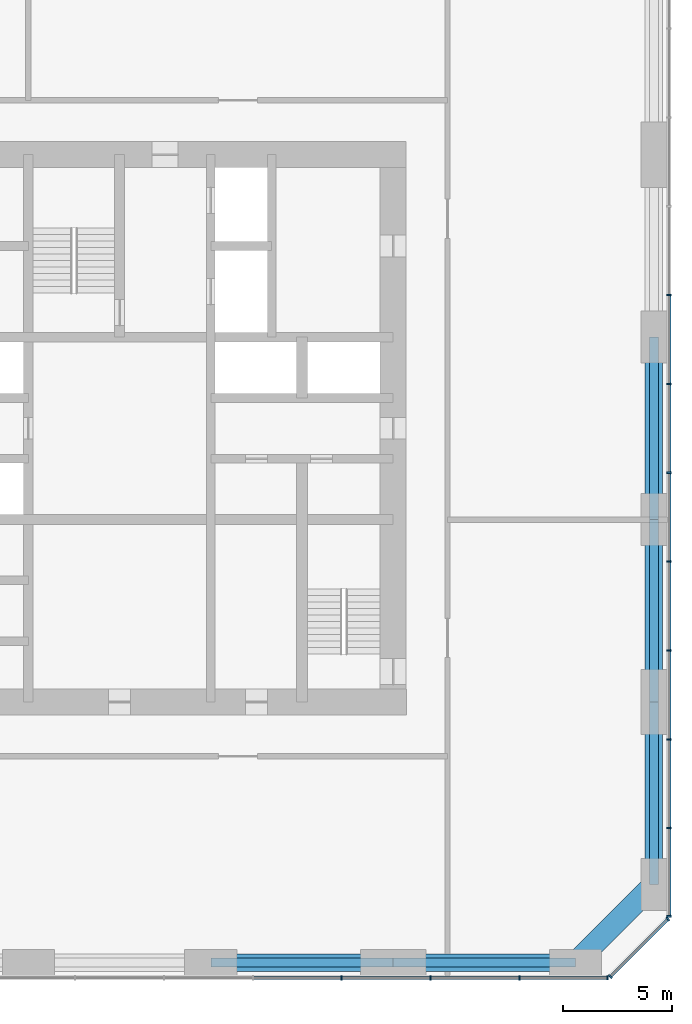
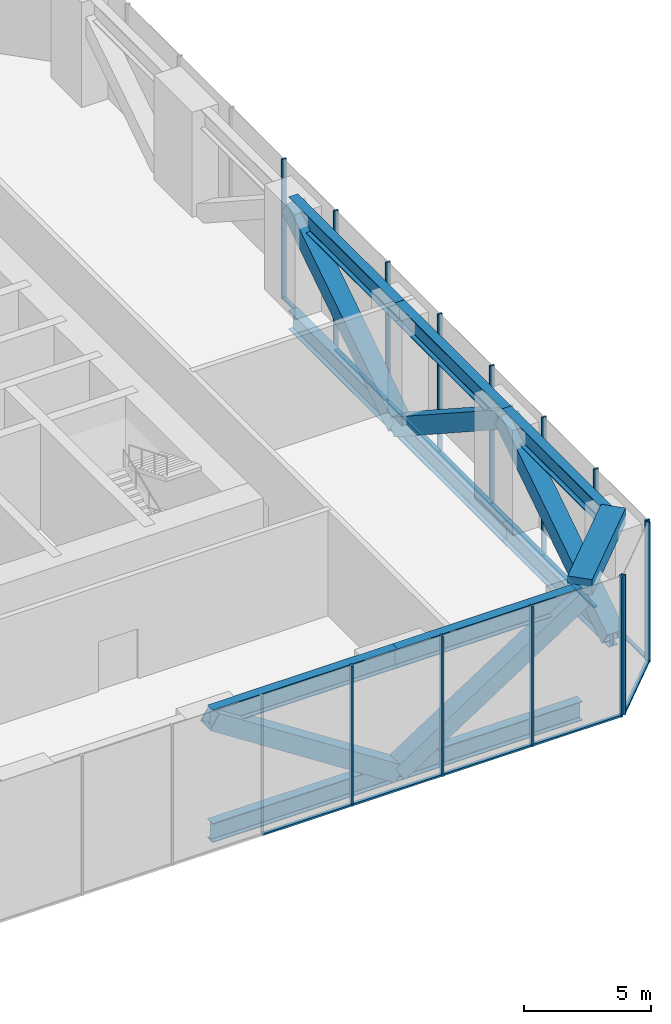
# One storey, part 4 of 10: 41 members, 1 beam, 3 elements without a shape of their own.
"""IFC4 building model written with IfcOpenShell, lengths in metres."""

from ifc_helpers import new_model, si_unit, direction, frame, origin, origin_2d, place, context, subcontext, project, spatial, rectangle, hollow_rectangle, i_section, extrude, material, material_profile, profile_set, type_object, element, aggregate, save


model = new_model("IFC4")

# Units and contexts
model_context = context("Model", 3, precision=1e-05, world=origin(), true_north=direction((0.0, 1.0)))
body_context = subcontext(model_context, "Body", "Model", "MODEL_VIEW")
ifc_project = project(units=[si_unit("LENGTHUNIT", "METRE"), si_unit("AREAUNIT", "SQUARE_METRE"), si_unit("VOLUMEUNIT", "CUBIC_METRE"), si_unit("PLANEANGLEUNIT", "RADIAN"), si_unit("MASSUNIT", "GRAM", prefix="KILO")], contexts=[model_context])

# Site, building, storey
site_placement = place(None, origin())
site = spatial("IfcSite", under=ifc_project, at=site_placement, CompositionType="ELEMENT")
building_placement = place(site_placement, origin())
building = spatial("IfcBuilding", under=site, at=building_placement, Name="Dunama Terrace Hotel", CompositionType="ELEMENT")
storey_placement = place(building_placement, frame((0.0, 0.0, 220.199951171875)))
storey = spatial("IfcBuildingStorey", under=building, at=storey_placement, Name="L57", CompositionType="ELEMENT", Elevation=220.199951171875)

# Members
ifc_material_1 = material(Name="Steel S355", Category="steel")
ifc_material_profile_1 = material_profile(ifc_material_1, hollow_rectangle(XDim=0.800048828125, YDim=0.800048828125, WallThickness=0.06005859375, at=origin_2d()), Name="BOX 800x800x60")
ifc_profile_set_1 = profile_set([ifc_material_profile_1], Name="Steel S355")
member_type_1 = type_object("IfcMemberType", Name="Brace BOX 800x800x60", PredefinedType="BRACE", material=ifc_profile_set_1)
member_1_placement = place(storey_placement, frame((54.0, 8.39990234375, -0.8603515625), z_axis=(0.0, 0.838906226141, 0.544275981229), x_axis=(-1.0, 0.0, 0.0)))
element("IfcMember", 1, at=member_1_placement, inside=storey, type_object=member_type_1, Name="Belt truss diagonal L57", PredefinedType="BRACE", context=body_context, shape_type="SweptSolid", body=[
    extrude(hollow_rectangle(XDim=0.800048828125, YDim=0.800048828125, WallThickness=0.06005859375, at=origin_2d()), origin(), (0.0, 0.0, 1.0), 10.01318359375),
])
member_2_placement = place(storey_placement, frame((54.0, 25.199951171875, -0.8603515625), z_axis=(0.0, -0.83889900313, 0.544287114075), x_axis=(1.0, 0.0, 0.0)))
element("IfcMember", 2, at=member_2_placement, inside=storey, type_object=member_type_1, Name="Belt truss diagonal L57", PredefinedType="BRACE", context=body_context, shape_type="SweptSolid", body=[
    extrude(hollow_rectangle(XDim=0.800048828125, YDim=0.800048828125, WallThickness=0.06005859375, at=origin_2d()), origin(), (0.0, 0.0, 1.0), 10.012939453125),
])
member_3_placement = place(storey_placement, frame((54.0, 25.199951171875, -0.8603515625), z_axis=(0.0, 0.838906226141, 0.544275981229), x_axis=(-1.0, 0.0, 0.0)))
element("IfcMember", 3, at=member_3_placement, inside=storey, type_object=member_type_1, Name="Belt truss diagonal L57", PredefinedType="BRACE", context=body_context, shape_type="SweptSolid", body=[
    extrude(hollow_rectangle(XDim=0.800048828125, YDim=0.800048828125, WallThickness=0.06005859375, at=origin_2d()), origin(), (0.0, 0.0, 1.0), 10.01318359375),
])
for number, where, z_axis, x_axis, name in (
    (4, (42.0, 4.800048828125, -0.8603515625), (-0.83889900313, 0.0, 0.544287114075), (0.0, -1.0, 0.0), "Belt truss diagonal L57"),
    (5, (42.0, 4.800048828125, -0.8603515625), (0.83889900313, 0.0, 0.544287114075), (0.0, 1.0, 0.0), "Belt truss diagonal L57"),
):
    element("IfcMember", number, at=place(storey_placement, frame(where, z_axis=z_axis, x_axis=x_axis)), inside=storey, type_object=member_type_1, Name=name, PredefinedType="BRACE", context=body_context, shape_type="SweptSolid", body=[
        extrude(hollow_rectangle(XDim=0.800048828125, YDim=0.800048828125, WallThickness=0.06005859375, at=origin_2d()), origin(), (0.0, 0.0, 1.0), 10.012939453125),
    ])

# Curtain wall, members
ifc_material_2 = material(Name="Aluminium curtain wall system", Category="aluminium")
curtain_wall_type = type_object("IfcCurtainWallType", Name="Plant floor louvred glazing CW-G", PredefinedType="NOTDEFINED", material=ifc_material_2)
curtain_wall_1_placement = place(storey_placement, origin())
curtain_wall_1 = element("IfcCurtainWall", 6, at=curtain_wall_1_placement, inside=storey, type_object=curtain_wall_type, Name="Plant floor louvred glazing CW-G L57", PredefinedType="NOTDEFINED")
ifc_material_3 = material(Name="Aluminium mullion", Category="aluminium")
ifc_material_profile_2 = material_profile(ifc_material_3, rectangle(XDim=0.074951171875, YDim=0.199951171875, at=origin_2d()), Name="CWG MULLION 75X200")
ifc_profile_set_2 = profile_set([ifc_material_profile_2], Name="Aluminium mullion")
member_type_2 = type_object("IfcMemberType", Name="CWG mullion 75x200", PredefinedType="MULLION", material=ifc_profile_set_2)
member_4_placement = place(storey_placement, frame((39.626953125, 4.10009765625, -1.321044921875), z_axis=(0.0, 0.0, 1.0), x_axis=(1.0, 0.0, 0.0)))
member_4 = element("IfcMember", 7, at=member_4_placement, type_object=member_type_2, Name="CWG mullion", PredefinedType="MULLION", context=body_context, shape_type="SweptSolid", body=[
    extrude(rectangle(XDim=0.074951171875, YDim=0.199951171875, at=origin_2d()), origin(), (0.0, 0.0, 1.0), 6.72119140625),
])
member_5_placement = place(storey_placement, frame((43.718017578125, 4.10009765625, -1.321044921875), z_axis=(0.0, 0.0, 1.0), x_axis=(1.0, 0.0, 0.0)))
member_5 = element("IfcMember", 8, at=member_5_placement, type_object=member_type_2, Name="CWG mullion", PredefinedType="MULLION", context=body_context, shape_type="SweptSolid", body=[
    extrude(rectangle(XDim=0.074951171875, YDim=0.199951171875, at=origin_2d()), origin(), (0.0, 0.0, 1.0), 6.72119140625),
])
member_6_placement = place(storey_placement, frame((47.80908203125, 4.10009765625, -1.321044921875), z_axis=(0.0, 0.0, 1.0), x_axis=(1.0, 0.0, 0.0)))
member_6 = element("IfcMember", 9, at=member_6_placement, type_object=member_type_2, Name="CWG mullion", PredefinedType="MULLION", context=body_context, shape_type="SweptSolid", body=[
    extrude(rectangle(XDim=0.074951171875, YDim=0.199951171875, at=origin_2d()), origin(), (0.0, 0.0, 1.0), 6.72119140625),
])
member_7_placement = place(storey_placement, frame((51.862060546875, 4.10009765625, -1.321044921875), z_axis=(0.0, 0.0, 1.0), x_axis=(1.0, 0.0, 0.0)))
member_7 = element("IfcMember", 10, at=member_7_placement, type_object=member_type_2, Name="CWG mullion", PredefinedType="MULLION", context=body_context, shape_type="SweptSolid", body=[
    extrude(rectangle(XDim=0.074951171875, YDim=0.199951171875, at=origin_2d()), origin(), (0.0, 0.0, 1.0), 6.72119140625),
])

curtain_wall_2_placement = place(storey_placement, origin())
curtain_wall_2 = element("IfcCurtainWall", 11, at=curtain_wall_2_placement, inside=storey, type_object=curtain_wall_type, Name="Plant floor louvred glazing CW-G L57", PredefinedType="NOTDEFINED")
member_8_placement = place(storey_placement, frame((51.9970703125, 4.156005859375, -1.321044921875), z_axis=(0.0, 0.0, 1.0), x_axis=(0.707106781187, 0.707106781187, 0.0)))
member_8 = element("IfcMember", 12, at=member_8_placement, type_object=member_type_2, Name="CWG mullion", PredefinedType="MULLION", context=body_context, shape_type="SweptSolid", body=[
    extrude(rectangle(XDim=0.074951171875, YDim=0.199951171875, at=origin_2d()), origin(), (0.0, 0.0, 1.0), 6.72119140625),
])
member_9_placement = place(storey_placement, frame((54.64404296875, 6.802978515625, -1.321044921875), z_axis=(0.0, 0.0, 1.0), x_axis=(0.707106781187, 0.707106781187, 0.0)))
member_9 = element("IfcMember", 13, at=member_9_placement, type_object=member_type_2, Name="CWG mullion", PredefinedType="MULLION", context=body_context, shape_type="SweptSolid", body=[
    extrude(rectangle(XDim=0.074951171875, YDim=0.199951171875, at=origin_2d()), origin(), (0.0, 0.0, 1.0), 6.72119140625),
])

curtain_wall_3_placement = place(storey_placement, origin())
curtain_wall_3 = element("IfcCurtainWall", 14, at=curtain_wall_3_placement, inside=storey, type_object=curtain_wall_type, Name="Plant floor louvred glazing CW-G L57", PredefinedType="NOTDEFINED")
member_10_placement = place(storey_placement, frame((54.699951171875, 6.93798828125, -1.321044921875), z_axis=(0.0, 0.0, 1.0), x_axis=(0.0, 1.0, 0.0)))
member_10 = element("IfcMember", 15, at=member_10_placement, type_object=member_type_2, Name="CWG mullion", PredefinedType="MULLION", context=body_context, shape_type="SweptSolid", body=[
    extrude(rectangle(XDim=0.074951171875, YDim=0.199951171875, at=origin_2d()), origin(), (0.0, 0.0, 1.0), 6.72119140625),
])
member_11_placement = place(storey_placement, frame((54.699951171875, 10.990966796875, -1.321044921875), z_axis=(0.0, 0.0, 1.0), x_axis=(0.0, 1.0, 0.0)))
member_11 = element("IfcMember", 16, at=member_11_placement, type_object=member_type_2, Name="CWG mullion", PredefinedType="MULLION", context=body_context, shape_type="SweptSolid", body=[
    extrude(rectangle(XDim=0.074951171875, YDim=0.199951171875, at=origin_2d()), origin(), (0.0, 0.0, 1.0), 6.72119140625),
])
member_12_placement = place(storey_placement, frame((54.699951171875, 15.08203125, -1.321044921875), z_axis=(0.0, 0.0, 1.0), x_axis=(0.0, 1.0, 0.0)))
member_12 = element("IfcMember", 17, at=member_12_placement, type_object=member_type_2, Name="CWG mullion", PredefinedType="MULLION", context=body_context, shape_type="SweptSolid", body=[
    extrude(rectangle(XDim=0.074951171875, YDim=0.199951171875, at=origin_2d()), origin(), (0.0, 0.0, 1.0), 6.72119140625),
])
member_13_placement = place(storey_placement, frame((54.699951171875, 19.173095703125, -1.321044921875), z_axis=(0.0, 0.0, 1.0), x_axis=(0.0, 1.0, 0.0)))
member_13 = element("IfcMember", 18, at=member_13_placement, type_object=member_type_2, Name="CWG mullion", PredefinedType="MULLION", context=body_context, shape_type="SweptSolid", body=[
    extrude(rectangle(XDim=0.074951171875, YDim=0.199951171875, at=origin_2d()), origin(), (0.0, 0.0, 1.0), 6.72119140625),
])
member_14_placement = place(storey_placement, frame((54.699951171875, 23.263916015625, -1.321044921875), z_axis=(0.0, 0.0, 1.0), x_axis=(0.0, 1.0, 0.0)))
member_14 = element("IfcMember", 19, at=member_14_placement, type_object=member_type_2, Name="CWG mullion", PredefinedType="MULLION", context=body_context, shape_type="SweptSolid", body=[
    extrude(rectangle(XDim=0.074951171875, YDim=0.199951171875, at=origin_2d()), origin(), (0.0, 0.0, 1.0), 6.72119140625),
])
member_15_placement = place(storey_placement, frame((54.699951171875, 27.35498046875, -1.321044921875), z_axis=(0.0, 0.0, 1.0), x_axis=(0.0, 1.0, 0.0)))
member_15 = element("IfcMember", 20, at=member_15_placement, type_object=member_type_2, Name="CWG mullion", PredefinedType="MULLION", context=body_context, shape_type="SweptSolid", body=[
    extrude(rectangle(XDim=0.074951171875, YDim=0.199951171875, at=origin_2d()), origin(), (0.0, 0.0, 1.0), 6.72119140625),
])
member_16_placement = place(storey_placement, frame((54.699951171875, 31.445068359375, -1.321044921875), z_axis=(0.0, 0.0, 1.0), x_axis=(0.0, 1.0, 0.0)))
member_16 = element("IfcMember", 21, at=member_16_placement, type_object=member_type_2, Name="CWG mullion", PredefinedType="MULLION", context=body_context, shape_type="SweptSolid", body=[
    extrude(rectangle(XDim=0.074951171875, YDim=0.199951171875, at=origin_2d()), origin(), (0.0, 0.0, 1.0), 6.72119140625),
])
member_17_placement = place(storey_placement, frame((54.699951171875, 35.535888671875, -1.321044921875), z_axis=(0.0, 0.0, 1.0), x_axis=(0.0, 1.0, 0.0)))
member_17 = element("IfcMember", 22, at=member_17_placement, type_object=member_type_2, Name="CWG mullion", PredefinedType="MULLION", context=body_context, shape_type="SweptSolid", body=[
    extrude(rectangle(XDim=0.074951171875, YDim=0.199951171875, at=origin_2d()), origin(), (0.0, 0.0, 1.0), 6.72119140625),
])

# Member
ifc_material_4 = material(Name="Aluminium transom", Category="aluminium")
ifc_material_profile_3 = material_profile(ifc_material_4, rectangle(XDim=0.159912109375, YDim=0.0849609375, at=origin_2d()), Name="CWG TRANSOM 160X85")
ifc_profile_set_3 = profile_set([ifc_material_profile_3], Name="Aluminium transom")
member_type_3 = type_object("IfcMemberType", Name="CWG transom 160x85", PredefinedType="USERDEFINED", material=ifc_profile_set_3)
member_18_placement = place(storey_placement, frame((35.573974609375, 4.10009765625, -1.278564453125), z_axis=(1.0, 0.0, 0.0), x_axis=(0.0, 1.0, 0.0)))
member_18 = element("IfcMember", 23, at=member_18_placement, type_object=member_type_3, Name="CWG transom", ObjectType="TRANSOM", PredefinedType="USERDEFINED", context=body_context, shape_type="SweptSolid", body=[
    extrude(rectangle(XDim=0.159912109375, YDim=0.0849609375, at=origin_2d()), origin(), (0.0, 0.0, 1.0), 4.01611328125),
])

member_19_placement = place(storey_placement, frame((39.6650390625, 4.10009765625, -1.278564453125), z_axis=(1.0, 0.0, 0.0), x_axis=(0.0, 1.0, 0.0)))
member_19 = element("IfcMember", 24, at=member_19_placement, type_object=member_type_3, Name="CWG transom", ObjectType="TRANSOM", PredefinedType="USERDEFINED", context=body_context, shape_type="SweptSolid", body=[
    extrude(rectangle(XDim=0.159912109375, YDim=0.0849609375, at=origin_2d()), origin(), (0.0, 0.0, 1.0), 4.015869140625),
])

member_20_placement = place(storey_placement, frame((43.756103515625, 4.10009765625, -1.278564453125), z_axis=(1.0, 0.0, 0.0), x_axis=(0.0, 1.0, 0.0)))
member_20 = element("IfcMember", 25, at=member_20_placement, type_object=member_type_3, Name="CWG transom", ObjectType="TRANSOM", PredefinedType="USERDEFINED", context=body_context, shape_type="SweptSolid", body=[
    extrude(rectangle(XDim=0.159912109375, YDim=0.0849609375, at=origin_2d()), origin(), (0.0, 0.0, 1.0), 4.015869140625),
])

member_21_placement = place(storey_placement, frame((47.846923828125, 4.10009765625, -1.278564453125), z_axis=(1.0, 0.0, 0.0), x_axis=(0.0, 1.0, 0.0)))
member_21 = element("IfcMember", 26, at=member_21_placement, type_object=member_type_3, Name="CWG transom", ObjectType="TRANSOM", PredefinedType="USERDEFINED", context=body_context, shape_type="SweptSolid", body=[
    extrude(rectangle(XDim=0.159912109375, YDim=0.0849609375, at=origin_2d()), origin(), (0.0, 0.0, 1.0), 3.97802734375),
])

aggregate(curtain_wall_1, [member_4, member_5, member_6, member_7, member_18, member_19, member_20, member_21])

member_22_placement = place(storey_placement, frame((52.02392578125, 4.181884765625, -1.278564453125), z_axis=(0.707106781187, 0.707106781187, 0.0), x_axis=(-0.707106781187, 0.707106781187, 0.0)))
member_22 = element("IfcMember", 27, at=member_22_placement, type_object=member_type_3, Name="CWG transom", ObjectType="TRANSOM", PredefinedType="USERDEFINED", context=body_context, shape_type="SweptSolid", body=[
    extrude(rectangle(XDim=0.159912109375, YDim=0.0849609375, at=origin_2d()), origin(), (0.0, 0.0, 1.0), 3.66845703125),
])

aggregate(curtain_wall_2, [member_8, member_9, member_22])

member_23_placement = place(storey_placement, frame((54.699951171875, 6.97509765625, -1.278564453125), z_axis=(0.0, 1.0, 0.0), x_axis=(-1.0, 0.0, 0.0)))
member_23 = element("IfcMember", 28, at=member_23_placement, type_object=member_type_3, Name="CWG transom", ObjectType="TRANSOM", PredefinedType="USERDEFINED", context=body_context, shape_type="SweptSolid", body=[
    extrude(rectangle(XDim=0.159912109375, YDim=0.0849609375, at=origin_2d()), origin(), (0.0, 0.0, 1.0), 3.977783203125),
])

member_24_placement = place(storey_placement, frame((54.699951171875, 11.028076171875, -1.278564453125), z_axis=(0.0, 1.0, 0.0), x_axis=(-1.0, 0.0, 0.0)))
member_24 = element("IfcMember", 29, at=member_24_placement, type_object=member_type_3, Name="CWG transom", ObjectType="TRANSOM", PredefinedType="USERDEFINED", context=body_context, shape_type="SweptSolid", body=[
    extrude(rectangle(XDim=0.159912109375, YDim=0.0849609375, at=origin_2d()), origin(), (0.0, 0.0, 1.0), 4.015869140625),
])

member_25_placement = place(storey_placement, frame((54.699951171875, 15.118896484375, -1.278564453125), z_axis=(0.0, 1.0, 0.0), x_axis=(-1.0, 0.0, 0.0)))
member_25 = element("IfcMember", 30, at=member_25_placement, type_object=member_type_3, Name="CWG transom", ObjectType="TRANSOM", PredefinedType="USERDEFINED", context=body_context, shape_type="SweptSolid", body=[
    extrude(rectangle(XDim=0.159912109375, YDim=0.0849609375, at=origin_2d()), origin(), (0.0, 0.0, 1.0), 4.01611328125),
])

member_26_placement = place(storey_placement, frame((54.699951171875, 19.2099609375, -1.278564453125), z_axis=(0.0, 1.0, 0.0), x_axis=(-1.0, 0.0, 0.0)))
member_26 = element("IfcMember", 31, at=member_26_placement, type_object=member_type_3, Name="CWG transom", ObjectType="TRANSOM", PredefinedType="USERDEFINED", context=body_context, shape_type="SweptSolid", body=[
    extrude(rectangle(XDim=0.159912109375, YDim=0.0849609375, at=origin_2d()), origin(), (0.0, 0.0, 1.0), 4.01611328125),
])

member_27_placement = place(storey_placement, frame((54.699951171875, 23.301025390625, -1.278564453125), z_axis=(0.0, 1.0, 0.0), x_axis=(-1.0, 0.0, 0.0)))
member_27 = element("IfcMember", 32, at=member_27_placement, type_object=member_type_3, Name="CWG transom", ObjectType="TRANSOM", PredefinedType="USERDEFINED", context=body_context, shape_type="SweptSolid", body=[
    extrude(rectangle(XDim=0.159912109375, YDim=0.0849609375, at=origin_2d()), origin(), (0.0, 0.0, 1.0), 4.015869140625),
])

member_28_placement = place(storey_placement, frame((54.699951171875, 27.39208984375, -1.278564453125), z_axis=(0.0, 1.0, 0.0), x_axis=(-1.0, 0.0, 0.0)))
member_28 = element("IfcMember", 33, at=member_28_placement, type_object=member_type_3, Name="CWG transom", ObjectType="TRANSOM", PredefinedType="USERDEFINED", context=body_context, shape_type="SweptSolid", body=[
    extrude(rectangle(XDim=0.159912109375, YDim=0.0849609375, at=origin_2d()), origin(), (0.0, 0.0, 1.0), 4.015869140625),
])

member_29_placement = place(storey_placement, frame((54.699951171875, 31.48291015625, -1.278564453125), z_axis=(0.0, 1.0, 0.0), x_axis=(-1.0, 0.0, 0.0)))
member_29 = element("IfcMember", 34, at=member_29_placement, type_object=member_type_3, Name="CWG transom", ObjectType="TRANSOM", PredefinedType="USERDEFINED", context=body_context, shape_type="SweptSolid", body=[
    extrude(rectangle(XDim=0.159912109375, YDim=0.0849609375, at=origin_2d()), origin(), (0.0, 0.0, 1.0), 4.01611328125),
])

aggregate(curtain_wall_3, [member_10, member_11, member_12, member_13, member_14, member_15, member_16, member_17, member_23, member_24, member_25, member_26, member_27, member_28, member_29])

# Beam
ifc_material_5 = material(Name="Concrete C50/60", Category="concrete")
ifc_material_profile_4 = material_profile(ifc_material_5, rectangle(XDim=1.0, YDim=0.75, at=origin_2d()), Name="RC 1000x750")
ifc_profile_set_4 = profile_set([ifc_material_profile_4], Name="Concrete C50/60")
beam_type = type_object("IfcBeamType", Name="Edge beam RC 1000x750", PredefinedType="SPANDREL", material=ifc_profile_set_4)
beam_placement = place(storey_placement, frame((50.39990234375, 4.800048828125, 5.025146484375), z_axis=(0.707130757816, 0.707082803744, 0.0), x_axis=(-0.707082803744, 0.707130757816, 0.0)))
element("IfcBeam", 35, at=beam_placement, inside=storey, type_object=beam_type, Name="Corner edge beam under L58", PredefinedType="SPANDREL", context=body_context, shape_type="SweptSolid", body=[
    extrude(rectangle(XDim=1.0, YDim=0.75, at=origin_2d()), origin(), (0.0, 0.0, 1.0), 5.091064453125),
])

# Members
ifc_material_6 = material(Name="Steel S355", Category="steel")
ifc_material_profile_5 = material_profile(ifc_material_6, i_section(OverallWidth=0.42041015625, OverallDepth=0.9208984375, WebThickness=0.021484375, FlangeThickness=0.03662109375, FilletRadius=0.024169921875, at=origin_2d()), Name="UB 914x419x388")
ifc_profile_set_5 = profile_set([ifc_material_profile_5], Name="Steel S355")
member_type_4 = type_object("IfcMemberType", Name="Truss member UB 914x419x388", PredefinedType="CHORD", material=ifc_profile_set_5)
for number, where, z_axis, x_axis, name in (
    (36, (54.0, 8.39990234375, 4.589599609375), (0.0, 1.0, 0.0), (-1.0, 0.0, 0.0), "Belt truss top chord L57"),
    (37, (54.0, 8.39990234375, -0.8603515625), (0.0, 1.0, 0.0), (-1.0, 0.0, 0.0), "Belt truss bottom chord L57"),
):
    element("IfcMember", number, at=place(storey_placement, frame(where, z_axis=z_axis, x_axis=x_axis)), inside=storey, type_object=member_type_4, Name=name, PredefinedType="CHORD", context=body_context, shape_type="SweptSolid", body=[
        extrude(i_section(OverallWidth=0.42041015625, OverallDepth=0.9208984375, WebThickness=0.021484375, FlangeThickness=0.03662109375, FilletRadius=0.024169921875, at=origin_2d()), origin(), (0.0, 0.0, 1.0), 8.400146484375),
    ])
for number, where, z_axis, x_axis, name in (
    (38, (54.0, 16.800048828125, 4.589599609375), (0.0, 1.0, 0.0), (-1.0, 0.0, 0.0), "Belt truss top chord L57"),
    (39, (54.0, 16.800048828125, -0.8603515625), (0.0, 1.0, 0.0), (-1.0, 0.0, 0.0), "Belt truss bottom chord L57"),
):
    element("IfcMember", number, at=place(storey_placement, frame(where, z_axis=z_axis, x_axis=x_axis)), inside=storey, type_object=member_type_4, Name=name, PredefinedType="CHORD", context=body_context, shape_type="SweptSolid", body=[
        extrude(i_section(OverallWidth=0.42041015625, OverallDepth=0.9208984375, WebThickness=0.021484375, FlangeThickness=0.03662109375, FilletRadius=0.024169921875, at=origin_2d()), origin(), (0.0, 0.0, 1.0), 8.39990234375),
    ])
for number, where, z_axis, x_axis, name in (
    (40, (54.0, 25.199951171875, 4.589599609375), (0.0, 1.0, 0.0), (-1.0, 0.0, 0.0), "Belt truss top chord L57"),
    (41, (54.0, 25.199951171875, -0.8603515625), (0.0, 1.0, 0.0), (-1.0, 0.0, 0.0), "Belt truss bottom chord L57"),
):
    element("IfcMember", number, at=place(storey_placement, frame(where, z_axis=z_axis, x_axis=x_axis)), inside=storey, type_object=member_type_4, Name=name, PredefinedType="CHORD", context=body_context, shape_type="SweptSolid", body=[
        extrude(i_section(OverallWidth=0.42041015625, OverallDepth=0.9208984375, WebThickness=0.021484375, FlangeThickness=0.03662109375, FilletRadius=0.024169921875, at=origin_2d()), origin(), (0.0, 0.0, 1.0), 8.400146484375),
    ])
for number, where, z_axis, x_axis, name in (
    (42, (33.60009765625, 4.800048828125, 4.589599609375), (1.0, 0.0, 0.0), (0.0, 1.0, 0.0), "Belt truss top chord L57"),
    (43, (33.60009765625, 4.800048828125, -0.8603515625), (1.0, 0.0, 0.0), (0.0, 1.0, 0.0), "Belt truss bottom chord L57"),
    (44, (42.0, 4.800048828125, 4.589599609375), (1.0, 0.0, 0.0), (0.0, 1.0, 0.0), "Belt truss top chord L57"),
    (45, (42.0, 4.800048828125, -0.8603515625), (1.0, 0.0, 0.0), (0.0, 1.0, 0.0), "Belt truss bottom chord L57"),
):
    element("IfcMember", number, at=place(storey_placement, frame(where, z_axis=z_axis, x_axis=x_axis)), inside=storey, type_object=member_type_4, Name=name, PredefinedType="CHORD", context=body_context, shape_type="SweptSolid", body=[
        extrude(i_section(OverallWidth=0.42041015625, OverallDepth=0.9208984375, WebThickness=0.021484375, FlangeThickness=0.03662109375, FilletRadius=0.024169921875, at=origin_2d()), origin(), (0.0, 0.0, 1.0), 8.39990234375),
    ])

save(model, "model.ifc")
